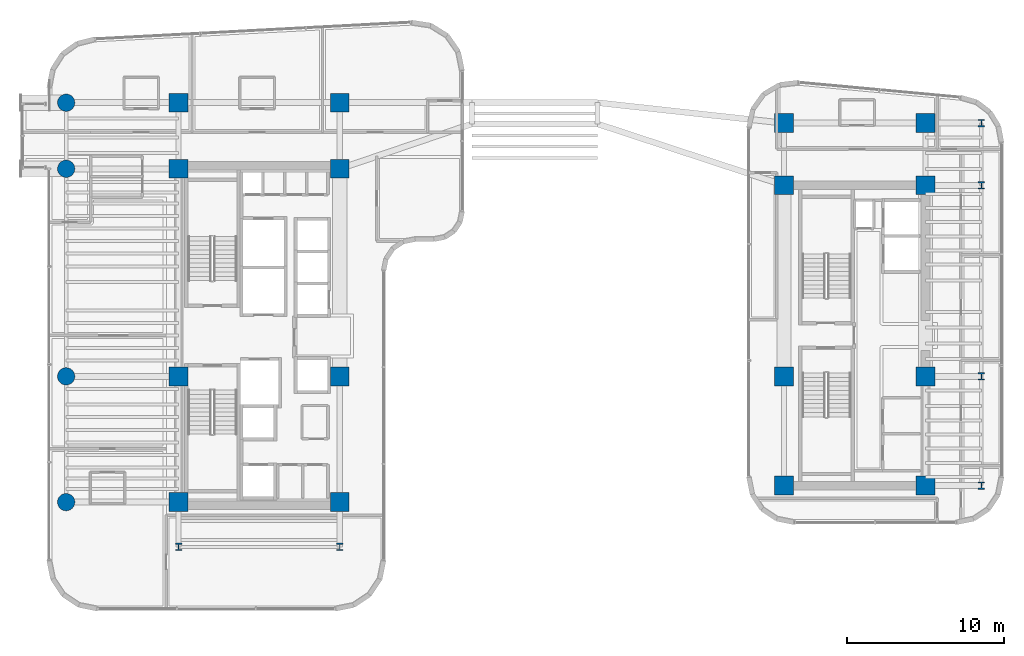
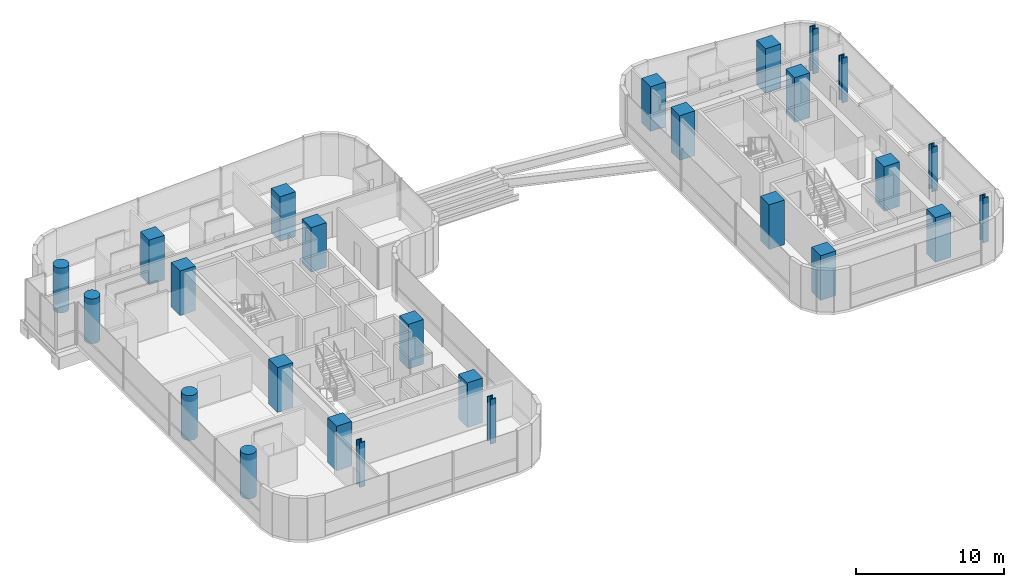
# One storey, part 1 of 36: 26 columns.
"""IFC4 building model written with IfcOpenShell, lengths in metres."""

from ifc_helpers import new_model, si_unit, direction, frame, origin, origin_2d, place, context, subcontext, project, spatial, rectangle, circle, i_section, extrude, source, transform, mapped, material, material_profile, profile_set, type_object, element, save


model = new_model("IFC4")

# Units and contexts
model_context = context("Model", 3, precision=1e-05, world=origin(), true_north=direction((0.0, 1.0)))
body_context = subcontext(model_context, "Body", "Model", "MODEL_VIEW")
ifc_project = project(units=[si_unit("LENGTHUNIT", "METRE"), si_unit("AREAUNIT", "SQUARE_METRE"), si_unit("VOLUMEUNIT", "CUBIC_METRE"), si_unit("PLANEANGLEUNIT", "RADIAN"), si_unit("MASSUNIT", "GRAM", prefix="KILO")], contexts=[model_context])

# Site, building, storey
site_placement = place(None, origin())
site = spatial("IfcSite", under=ifc_project, at=site_placement, CompositionType="ELEMENT")
building_placement = place(site_placement, origin())
building = spatial("IfcBuilding", under=site, at=building_placement, Name="Valdorenza Pilgrim Sanctuary Tower", CompositionType="ELEMENT")
storey_placement = place(building_placement, frame((0.0, 0.0, 153.800048828125)))
storey = spatial("IfcBuildingStorey", under=building, at=storey_placement, Name="L39", CompositionType="ELEMENT", Elevation=153.800048828125)

# Columns
ifc_material_1 = material(Name="Concrete C50/60", Category="concrete")
ifc_material_profile_1 = material_profile(ifc_material_1, circle(Radius=0.550048828125, at=origin_2d()), Name="RC D1100")
ifc_profile_set_1 = profile_set([ifc_material_profile_1], Name="Concrete C50/60")
column_type_1 = type_object("IfcColumnType", Name="COL-RND-1100", PredefinedType="COLUMN", material=ifc_profile_set_1)
shared_shape_1 = source(origin(), body_context, "Body", "SweptSolid", [
    extrude(circle(Radius=0.550048828125, at=origin_2d()), origin(), (0.0, 0.0, 1.0), 3.699951171875),
])
for number, where, z_axis, x_axis, name in (
    (1, (-29.800048828125, -10.60009765625, 0.0), (0.0, 0.0, 1.0), (1.0, 0.0, 0.0), "L39 Perimeter Column WA-W-S1"),
    (2, (-29.800048828125, -2.60009765625, 0.0), (0.0, 0.0, 1.0), (1.0, 0.0, 0.0), "L39 Perimeter Column WA-W-M0"),
    (3, (-29.800048828125, 10.60009765625, 0.0), (0.0, 0.0, 1.0), (1.0, 0.0, 0.0), "L39 Perimeter Column WA-W-N1"),
    (4, (-29.800048828125, 14.800048828125, 0.0), (0.0, 0.0, 1.0), (1.0, 0.0, 0.0), "L39 Perimeter Column WA-W-N2"),
):
    element("IfcColumn", number, at=place(storey_placement, frame(where, z_axis=z_axis, x_axis=x_axis)), inside=storey, type_object=column_type_1, Name=name, PredefinedType="COLUMN", context=body_context, shape_type="MappedRepresentation", body=[
        mapped(shared_shape_1, transform((0.0, 0.0, 0.0), x_axis=(1.0, 0.0, 0.0), y_axis=(0.0, 1.0, 0.0), z_axis=(0.0, 0.0, 1.0), scale=1.0)),
    ])
ifc_material_2 = material(Name="Concrete C60/75", Category="concrete")
ifc_material_profile_2 = material_profile(ifc_material_2, rectangle(XDim=1.199951171875, YDim=1.199951171875, at=origin_2d()), Name="RC 1200x1200")
ifc_profile_set_2 = profile_set([ifc_material_profile_2], Name="Concrete C60/75")
column_type_2 = type_object("IfcColumnType", Name="COL-Z2-1200", PredefinedType="COLUMN", material=ifc_profile_set_2)
shared_shape_2 = source(origin(), body_context, "Body", "SweptSolid", [
    extrude(rectangle(XDim=1.199951171875, YDim=1.199951171875, at=origin_2d()), origin(), (0.0, 0.0, 1.0), 3.699951171875),
])
for number, where, z_axis, x_axis, name in (
    (5, (-22.64990234375, -10.60009765625, 0.0), (0.0, 0.0, 1.0), (1.0, 0.0, 0.0), "L39 Column CA-W-S1"),
    (6, (-12.39990234375, -10.60009765625, 0.0), (0.0, 0.0, 1.0), (1.0, 0.0, 0.0), "L39 Column CA-E-S1"),
    (7, (-22.64990234375, -2.60009765625, 0.0), (0.0, 0.0, 1.0), (1.0, 0.0, 0.0), "L39 Column CA-W-M0"),
    (8, (-12.39990234375, -2.60009765625, 0.0), (0.0, 0.0, 1.0), (1.0, 0.0, 0.0), "L39 Column CA-E-M0"),
    (9, (-22.64990234375, 10.60009765625, 0.0), (0.0, 0.0, 1.0), (1.0, 0.0, 0.0), "L39 Column CA-W-N1"),
    (10, (-12.39990234375, 10.60009765625, 0.0), (0.0, 0.0, 1.0), (1.0, 0.0, 0.0), "L39 Column CA-E-N1"),
    (11, (-22.64990234375, 14.800048828125, 0.0), (0.0, 0.0, 1.0), (1.0, 0.0, 0.0), "L39 Column CA-W-N2"),
    (12, (-12.39990234375, 14.800048828125, 0.0), (0.0, 0.0, 1.0), (1.0, 0.0, 0.0), "L39 Column CA-E-N2"),
    (13, (15.85009765625, -9.550048828125, 0.0), (0.0, 0.0, 1.0), (1.0, 0.0, 0.0), "L39 Column CB-W-S1"),
    (14, (24.85009765625, -9.550048828125, 0.0), (0.0, 0.0, 1.0), (1.0, 0.0, 0.0), "L39 Column CB-E-S1"),
    (15, (15.85009765625, -2.60009765625, 0.0), (0.0, 0.0, 1.0), (1.0, 0.0, 0.0), "L39 Column CB-W-M0"),
    (16, (24.85009765625, -2.60009765625, 0.0), (0.0, 0.0, 1.0), (1.0, 0.0, 0.0), "L39 Column CB-E-M0"),
    (17, (15.85009765625, 9.550048828125, 0.0), (0.0, 0.0, 1.0), (1.0, 0.0, 0.0), "L39 Column CB-W-N1"),
    (18, (24.85009765625, 9.550048828125, 0.0), (0.0, 0.0, 1.0), (1.0, 0.0, 0.0), "L39 Column CB-E-N1"),
    (19, (15.85009765625, 13.5, 0.0), (0.0, 0.0, 1.0), (1.0, 0.0, 0.0), "L39 Column CB-W-N2"),
    (20, (24.85009765625, 13.5, 0.0), (0.0, 0.0, 1.0), (1.0, 0.0, 0.0), "L39 Column CB-E-N2"),
):
    element("IfcColumn", number, at=place(storey_placement, frame(where, z_axis=z_axis, x_axis=x_axis)), inside=storey, type_object=column_type_2, Name=name, PredefinedType="COLUMN", context=body_context, shape_type="MappedRepresentation", body=[
        mapped(shared_shape_2, transform((0.0, 0.0, 0.0), x_axis=(1.0, 0.0, 0.0), y_axis=(0.0, 1.0, 0.0), z_axis=(0.0, 0.0, 1.0), scale=1.0)),
    ])
ifc_material_3 = material(Name="Steel ASTM A992 Grade 50", Category="steel")
ifc_material_profile_3 = material_profile(ifc_material_3, i_section(OverallWidth=0.424072265625, OverallDepth=0.47412109375, WebThickness=0.047607421875, FlangeThickness=0.0771484375, at=origin_2d()), Name="W14X426")
ifc_profile_set_3 = profile_set([ifc_material_profile_3], Name="Steel ASTM A992 Grade 50")
column_type_3 = type_object("IfcColumnType", Name="COL-STL-W426", PredefinedType="COLUMN", material=ifc_profile_set_3)
shared_shape_3 = source(origin(), body_context, "Body", "SweptSolid", [
    extrude(i_section(OverallWidth=0.424072265625, OverallDepth=0.47412109375, WebThickness=0.047607421875, FlangeThickness=0.0771484375, at=origin_2d()), origin(), (0.0, 0.0, 1.0), 3.699951171875),
])
for number, where, z_axis, x_axis, name in (
    (21, (-22.64990234375, -13.449951171875, 0.0), (0.0, 0.0, 1.0), (1.0, 0.0, 0.0), "L39 Column WA-S-W"),
    (22, (-12.39990234375, -13.449951171875, 0.0), (0.0, 0.0, 1.0), (1.0, 0.0, 0.0), "L39 Column WA-S-E"),
    (23, (28.39990234375, -9.550048828125, 0.0), (0.0, 0.0, 1.0), (1.0, 0.0, 0.0), "L39 Perimeter Column WB-E-S1"),
    (24, (28.39990234375, -2.60009765625, 0.0), (0.0, 0.0, 1.0), (1.0, 0.0, 0.0), "L39 Perimeter Column WB-E-M0"),
    (25, (28.39990234375, 9.550048828125, 0.0), (0.0, 0.0, 1.0), (1.0, 0.0, 0.0), "L39 Perimeter Column WB-E-N1"),
    (26, (28.39990234375, 13.5, 0.0), (0.0, 0.0, 1.0), (1.0, 0.0, 0.0), "L39 Perimeter Column WB-E-N2"),
):
    element("IfcColumn", number, at=place(storey_placement, frame(where, z_axis=z_axis, x_axis=x_axis)), inside=storey, type_object=column_type_3, Name=name, PredefinedType="COLUMN", context=body_context, shape_type="MappedRepresentation", body=[
        mapped(shared_shape_3, transform((0.0, 0.0, 0.0), x_axis=(1.0, 0.0, 0.0), y_axis=(0.0, 1.0, 0.0), z_axis=(0.0, 0.0, 1.0), scale=1.0)),
    ])

save(model, "model.ifc")
